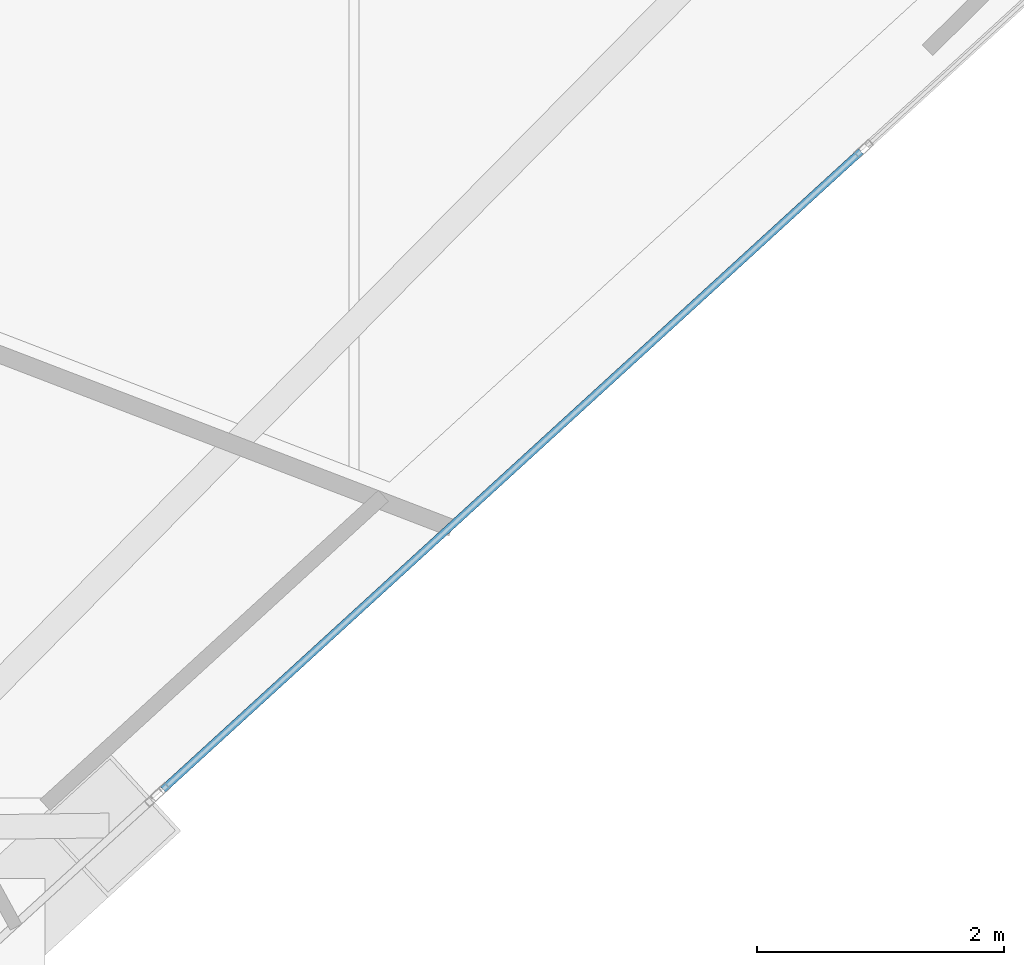
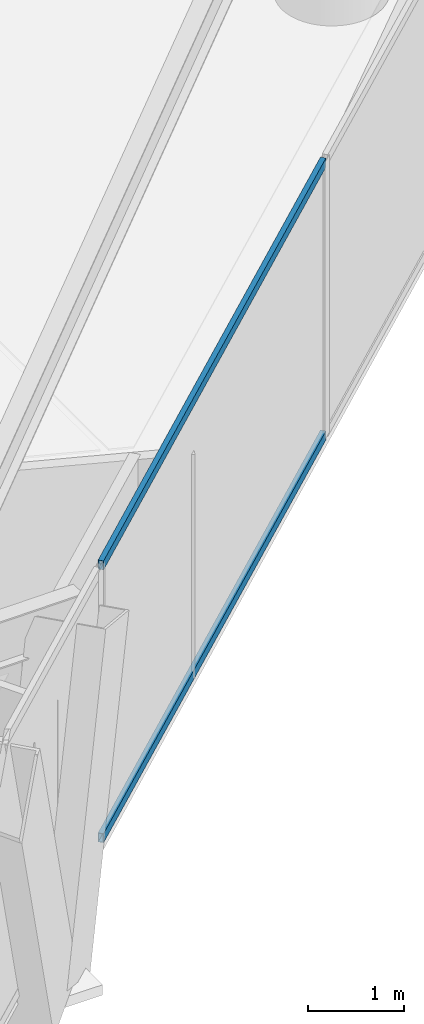
# One storey, part 7 of 24: 2 members, 1 element without a shape of its own.
"""IFC4 building model written with IfcOpenShell, lengths in metres."""

from ifc_helpers import new_model, si_unit, direction, frame, origin, origin_2d, place, context, subcontext, project, spatial, hollow_rectangle, extrude, material, layer, layer_set, material_profile, profile_set, type_object, element, aggregate, save


model = new_model("IFC4")

# Units and contexts
model_context = context("Model", 3, precision=1e-05, world=origin(), true_north=direction((0.0, 1.0)))
body_context = subcontext(model_context, "Body", "Model", "MODEL_VIEW")
ifc_project = project(units=[si_unit("LENGTHUNIT", "METRE"), si_unit("AREAUNIT", "SQUARE_METRE"), si_unit("VOLUMEUNIT", "CUBIC_METRE"), si_unit("PLANEANGLEUNIT", "RADIAN"), si_unit("MASSUNIT", "GRAM", prefix="KILO")], contexts=[model_context])

# Site, building, storey
site_placement = place(None, origin())
site = spatial("IfcSite", under=ifc_project, at=site_placement, CompositionType="ELEMENT")
building_placement = place(site_placement, origin())
building = spatial("IfcBuilding", under=site, at=building_placement, Name="Qianvela Tower", CompositionType="ELEMENT")
storey_placement = place(building_placement, frame((0.0, 0.0, 222.5)))
storey = spatial("IfcBuildingStorey", under=building, at=storey_placement, Name="L57", CompositionType="ELEMENT", Elevation=222.5)

# Curtain wall, members
ifc_material_1 = material(Name="Anodised Architectural Aluminium and Low-E Glass", Category="aluminium")
ifc_layer = layer(ifc_material_1, 0.159912109375)
ifc_layer_set = layer_set([ifc_layer], Name="Anodised Architectural Aluminium and Low-E Glass")
curtain_wall_type = type_object("IfcCurtainWallType", Name="CW-COLIV-Z56", PredefinedType="USERDEFINED", material=ifc_layer_set)
curtain_wall_placement = place(storey_placement, origin())
curtain_wall = element("IfcCurtainWall", 1, at=curtain_wall_placement, inside=storey, type_object=curtain_wall_type, Name="L57 CW-COLIV-Z56 Curtain Wall 06C", ObjectType="CURTAIN_WALL_SYSTEM", PredefinedType="USERDEFINED")
ifc_material_2 = material(Name="Anodised Architectural Aluminium 6063-T6", Category="aluminium")
ifc_material_profile = material_profile(ifc_material_2, hollow_rectangle(XDim=0.06005859375, YDim=0.114990234375, WallThickness=0.00390625, at=origin_2d()), Name="ALU-TRAN-60x115")
ifc_profile_set = profile_set([ifc_material_profile], Name="Anodised Architectural Aluminium 6063-T6")
member_type = type_object("IfcMemberType", Name="CW-COLIV-Z56-TRAN", PredefinedType="USERDEFINED", material=ifc_profile_set)
member_1_placement = place(storey_placement, frame((47.158203125, 19.200439453125, 0.030029296875), z_axis=(0.738052409211, 0.674743389191, 0.0), x_axis=(-0.674743389191, 0.738052409211, 0.0)))
member_1 = element("IfcMember", 2, at=member_1_placement, type_object=member_type, Name="CW-5 transom 1.1", ObjectType="TRANSOM", PredefinedType="USERDEFINED", context=body_context, shape_type="SweptSolid", body=[
    extrude(hollow_rectangle(XDim=0.06005859375, YDim=0.114990234375, WallThickness=0.00390625, at=origin_2d()), origin(), (0.0, 0.0, 1.0), 7.65478515625),
])
member_2_placement = place(storey_placement, frame((47.158203125, 19.200439453125, 3.489990234375), z_axis=(0.738052409211, 0.674743389191, 0.0), x_axis=(-0.674743389191, 0.738052409211, 0.0)))
member_2 = element("IfcMember", 3, at=member_2_placement, type_object=member_type, Name="CW-5 transom 1.2", ObjectType="TRANSOM", PredefinedType="USERDEFINED", context=body_context, shape_type="SweptSolid", body=[
    extrude(hollow_rectangle(XDim=0.06005859375, YDim=0.114990234375, WallThickness=0.00390625, at=origin_2d()), origin(), (0.0, 0.0, 1.0), 7.65478515625),
])
aggregate(curtain_wall, [member_1, member_2])

save(model, "model.ifc")
